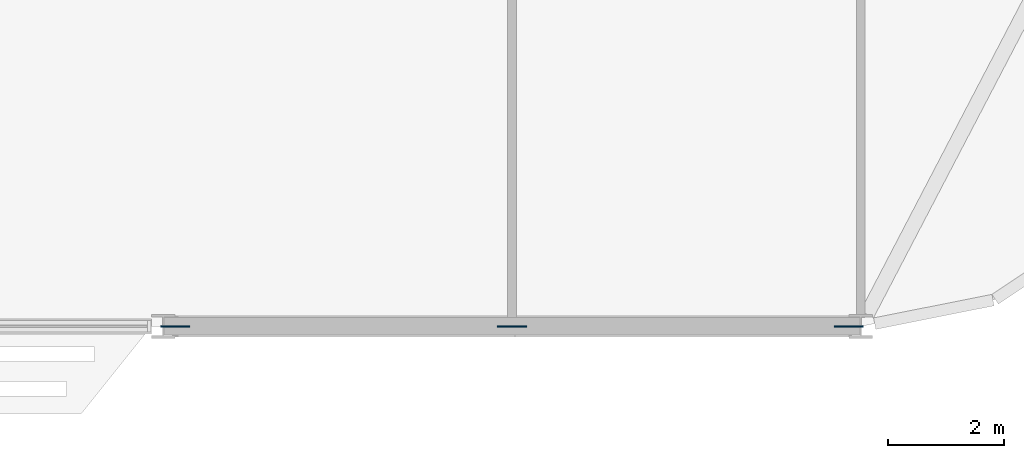
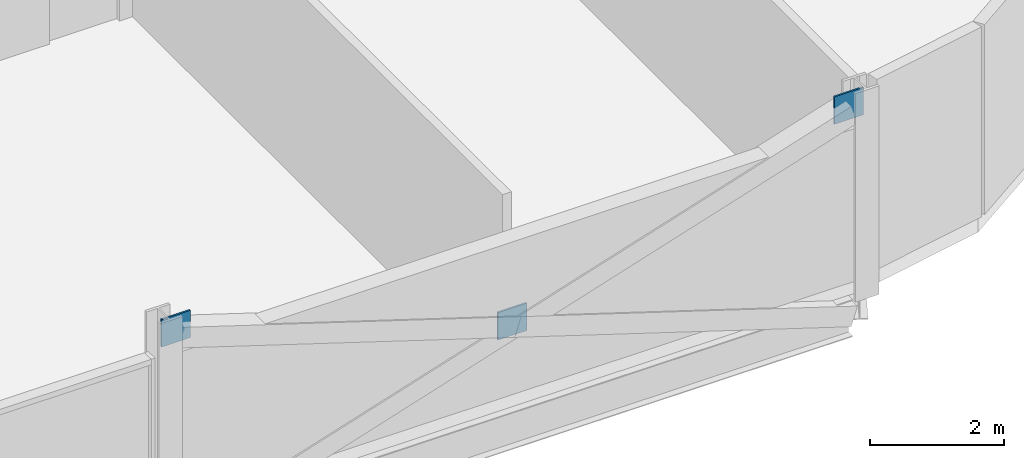
# One storey, part 20 of 27: 3 discrete accessories.
"""IFC4 building model written with IfcOpenShell, lengths in metres."""

from ifc_helpers import new_model, si_unit, direction, frame, origin, origin_2d, place, context, subcontext, project, spatial, rectangle, extrude, material, layer, layer_set, type_object, element, save


model = new_model("IFC4")

# Units and contexts
model_context = context("Model", 3, precision=1e-05, world=origin(), true_north=direction((0.0, 1.0)))
body_context = subcontext(model_context, "Body", "Model", "MODEL_VIEW")
ifc_project = project(units=[si_unit("LENGTHUNIT", "METRE"), si_unit("AREAUNIT", "SQUARE_METRE"), si_unit("VOLUMEUNIT", "CUBIC_METRE"), si_unit("PLANEANGLEUNIT", "RADIAN"), si_unit("MASSUNIT", "GRAM", prefix="KILO")], contexts=[model_context])

# Site, building, storey
site_placement = place(None, origin())
site = spatial("IfcSite", under=ifc_project, at=site_placement, CompositionType="ELEMENT")
building_placement = place(site_placement, origin())
building = spatial("IfcBuilding", under=site, at=building_placement, Name="Mahtab Terrace Research Tower", CompositionType="ELEMENT")
storey_placement = place(building_placement, frame((0.0, 0.0, 166.800048828125)))
storey = spatial("IfcBuildingStorey", under=building, at=storey_placement, Name="L39", CompositionType="ELEMENT", Elevation=166.800048828125)

# Discrete accessories
ifc_material = material(Name="Steel ASTM A992 Gr 50", Category="steel")
ifc_layer = layer(ifc_material, 0.030029296875)
ifc_layer_set = layer_set([ifc_layer], Name="Gusset plate 500x500x30")
discrete_accessory_type = type_object("IfcDiscreteAccessoryType", Name="Gusset plate 500x500x30", PredefinedType="USERDEFINED", material=ifc_layer_set)
for number, where, z_axis, x_axis, name in (
    (1, (30.203125, -23.0, 2.870849609375), (0.0, 0.0, 1.0), (1.0, 0.0, 0.0), "Gusset plate"),
    (2, (36.0, -23.0, 0.970947265625), (0.0, 0.0, 1.0), (1.0, 0.0, 0.0), "Gusset plate"),
    (3, (41.796875, -23.0, 2.870849609375), (0.0, 0.0, 1.0), (1.0, 0.0, 0.0), "Gusset plate"),
):
    element("IfcDiscreteAccessory", number, at=place(storey_placement, frame(where, z_axis=z_axis, x_axis=x_axis)), inside=storey, type_object=discrete_accessory_type, Name=name, ObjectType="GUSSET PLATE", PredefinedType="USERDEFINED", context=body_context, shape_type="SweptSolid", body=[
        extrude(rectangle(XDim=0.5, YDim=0.030029296875, at=origin_2d()), origin(), (0.0, 0.0, 1.0), 0.5),
    ])

save(model, "model.ifc")
